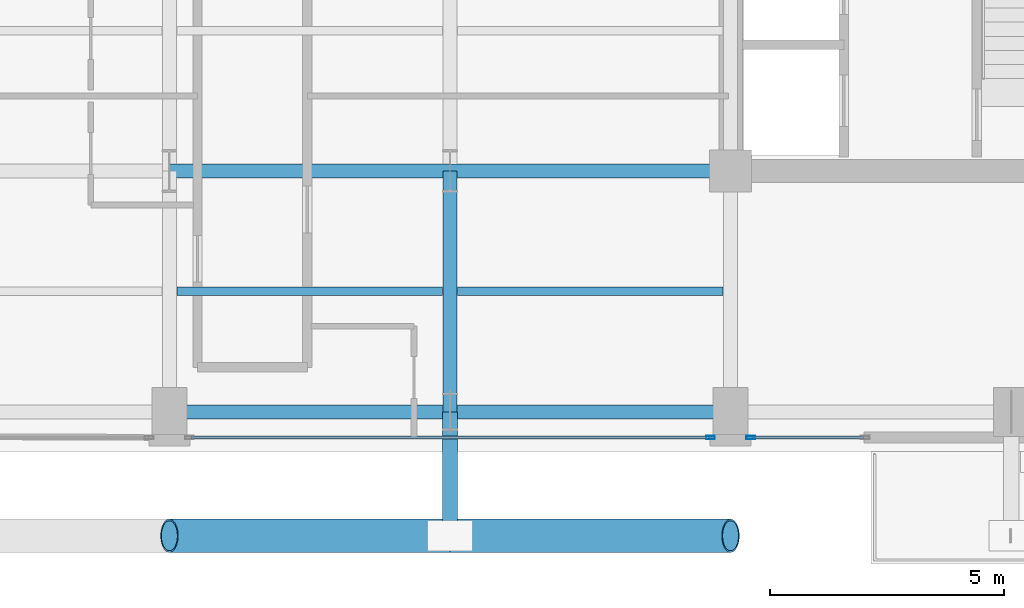
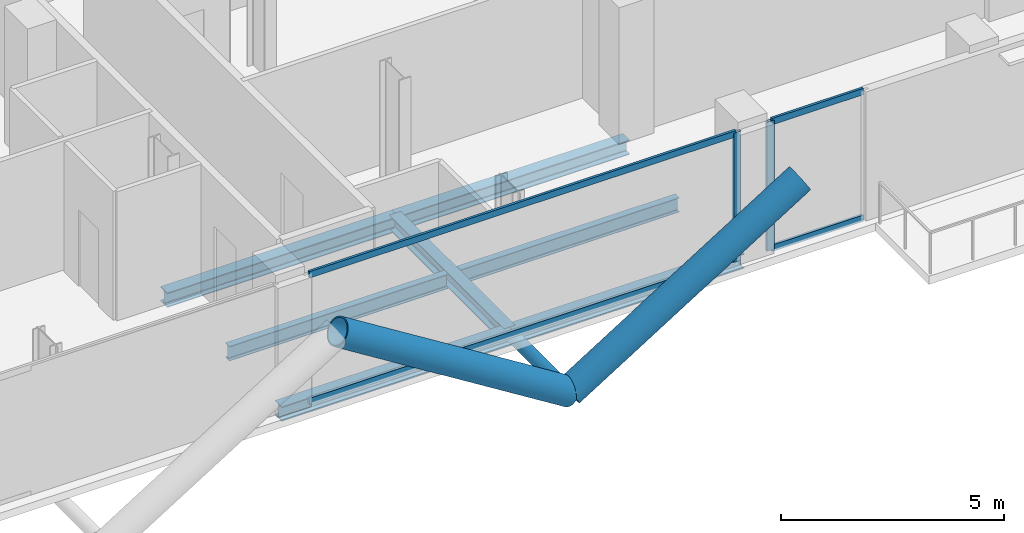
# One storey, part 4 of 25: 9 members, 7 beams, 2 elements without a shape of their own.
"""IFC4 building model written with IfcOpenShell, lengths in metres."""

from ifc_helpers import new_model, si_unit, direction, frame, origin, origin_2d, place, context, subcontext, project, spatial, hollow_rectangle, hollow_circle, i_section, extrude, material, layer, layer_set, material_profile, profile_set, type_object, element, aggregate, save


model = new_model("IFC4")

# Units and contexts
model_context = context("Model", 3, precision=1e-05, world=origin(), true_north=direction((0.0, 1.0)))
body_context = subcontext(model_context, "Body", "Model", "MODEL_VIEW")
ifc_project = project(units=[si_unit("LENGTHUNIT", "METRE"), si_unit("AREAUNIT", "SQUARE_METRE"), si_unit("VOLUMEUNIT", "CUBIC_METRE"), si_unit("PLANEANGLEUNIT", "RADIAN"), si_unit("MASSUNIT", "GRAM", prefix="KILO"), si_unit("THERMODYNAMICTEMPERATUREUNIT", "KELVIN"), si_unit("POWERUNIT", "WATT")], contexts=[model_context])

# Site, building, storey
site_placement = place(None, origin())
site = spatial("IfcSite", under=ifc_project, at=site_placement, CompositionType="ELEMENT")
building_placement = place(site_placement, origin())
building = spatial("IfcBuilding", under=site, at=building_placement, Name="Svarakhadi Broadcast Tower", CompositionType="ELEMENT")
storey_placement = place(building_placement, frame((0.0, 0.0, 212.39990234375)))
storey = spatial("IfcBuildingStorey", under=building, at=storey_placement, Name="L52", CompositionType="ELEMENT", Elevation=212.39990234375)

# Beams
ifc_material_1 = material(Name="Steel S355J2 (IS 2062 E350C)", Category="steel")
ifc_material_profile_1 = material_profile(ifc_material_1, i_section(OverallWidth=0.179931640625, OverallDepth=0.39990234375, WebThickness=0.008544921875, FlangeThickness=0.013427734375, FilletRadius=0.02099609375, at=origin_2d()), Name="NPB 400x180x66")
ifc_profile_set_1 = profile_set([ifc_material_profile_1], Name="Steel S355J2 (IS 2062 E350C)")
beam_type_1 = type_object("IfcBeamType", Name="Beam_NPB400", PredefinedType="BEAM", material=ifc_profile_set_1)
for number, where, z_axis, x_axis, name in (
    (1, (12.159912109375, 3.425048828125, -0.409912109375), (1.0, 0.0, 0.0), (0.0, 1.0, 0.0), "L52 Secondary Composite Beam SB009"),
    (2, (18.159912109375, 3.425048828125, -0.409912109375), (1.0, 0.0, 0.0), (0.0, 1.0, 0.0), "L52 Secondary Composite Beam SB013"),
):
    element("IfcBeam", number, at=place(storey_placement, frame(where, z_axis=z_axis, x_axis=x_axis)), inside=storey, type_object=beam_type_1, Name=name, PredefinedType="BEAM", context=body_context, shape_type="SweptSolid", body=[
        extrude(i_section(OverallWidth=0.179931640625, OverallDepth=0.39990234375, WebThickness=0.008544921875, FlangeThickness=0.013427734375, FilletRadius=0.02099609375, at=origin_2d()), origin(), (0.0, 0.0, 1.0), 5.68017578125),
    ])

# Curtain wall, member
ifc_material_2 = material(Name="Anodised Bronze Aluminium AA 6063-T6", Category="aluminium")
ifc_layer = layer(ifc_material_2, 0.18994140625)
ifc_layer_set = layer_set([ifc_layer], Name="Anodised Bronze Aluminium AA 6063-T6")
curtain_wall_type = type_object("IfcCurtainWallType", Name="CW_Sys_04", PredefinedType="NOTDEFINED", material=ifc_layer_set)
curtain_wall_1_placement = place(storey_placement, origin())
curtain_wall_1 = element("IfcCurtainWall", 3, at=curtain_wall_1_placement, inside=storey, type_object=curtain_wall_type, Name="L52 South Curtain Wall 17 Bay 1", PredefinedType="NOTDEFINED")
ifc_material_profile_2 = material_profile(ifc_material_2, hollow_rectangle(XDim=0.070068359375, YDim=0.18994140625, WallThickness=0.005615234375, at=origin_2d()), Name="ALU MULLION 190x70x6")
ifc_profile_set_2 = profile_set([ifc_material_profile_2], Name="Anodised Bronze Aluminium AA 6063-T6")
member_type_1 = type_object("IfcMemberType", Name="CW_Sys_04_Mul", PredefinedType="MULLION", material=ifc_profile_set_2)
member_1_placement = place(storey_placement, frame((24.429931640625, 0.300048828125, 0.0), z_axis=(0.0, 0.0, 1.0), x_axis=(0.0, -1.0, 0.0)))
member_1 = element("IfcMember", 4, at=member_1_placement, type_object=member_type_1, Name="CW-04 mullion 2", PredefinedType="MULLION", context=body_context, shape_type="SweptSolid", body=[
    extrude(hollow_rectangle(XDim=0.070068359375, YDim=0.18994140625, WallThickness=0.005615234375, at=origin_2d()), origin(), (0.0, 0.0, 1.0), 3.5400390625),
])

curtain_wall_2_placement = place(storey_placement, origin())
curtain_wall_2 = element("IfcCurtainWall", 5, at=curtain_wall_2_placement, inside=storey, type_object=curtain_wall_type, Name="L52 South Curtain Wall 17 Bay 2", PredefinedType="NOTDEFINED")
member_2_placement = place(storey_placement, frame((23.570068359375, 0.300048828125, 0.0), z_axis=(0.0, 0.0, 1.0), x_axis=(0.0, -1.0, 0.0)))
member_2 = element("IfcMember", 6, at=member_2_placement, type_object=member_type_1, Name="CW-04 mullion 1", PredefinedType="MULLION", context=body_context, shape_type="SweptSolid", body=[
    extrude(hollow_rectangle(XDim=0.070068359375, YDim=0.18994140625, WallThickness=0.005615234375, at=origin_2d()), origin(), (0.0, 0.0, 1.0), 3.5400390625),
])

# Member
ifc_material_profile_3 = material_profile(ifc_material_2, hollow_rectangle(XDim=0.06494140625, YDim=0.175048828125, WallThickness=0.0048828125, at=origin_2d()), Name="ALU TRANSOM 175x65x5")
ifc_profile_set_3 = profile_set([ifc_material_profile_3], Name="Anodised Bronze Aluminium AA 6063-T6")
member_type_2 = type_object("IfcMemberType", Name="CW_Sys_04_Trn", PredefinedType="USERDEFINED", material=ifc_profile_set_3)
member_3_placement = place(storey_placement, frame((26.840087890625, 0.300048828125, 0.03271484375), z_axis=(-1.0, 0.0, 0.0), x_axis=(0.0, -1.0, 0.0)))
member_3 = element("IfcMember", 7, at=member_3_placement, type_object=member_type_2, Name="CW-04 transom 1.1", ObjectType="TRANSOM", PredefinedType="USERDEFINED", context=body_context, shape_type="SweptSolid", body=[
    extrude(hollow_rectangle(XDim=0.06494140625, YDim=0.175048828125, WallThickness=0.0048828125, at=origin_2d()), origin(), (0.0, 0.0, 1.0), 2.375),
])

member_4_placement = place(storey_placement, frame((26.840087890625, 0.300048828125, 3.507568359375), z_axis=(-1.0, 0.0, 0.0), x_axis=(0.0, -1.0, 0.0)))
member_4 = element("IfcMember", 8, at=member_4_placement, type_object=member_type_2, Name="CW-04 transom 1.2", ObjectType="TRANSOM", PredefinedType="USERDEFINED", context=body_context, shape_type="SweptSolid", body=[
    extrude(hollow_rectangle(XDim=0.06494140625, YDim=0.175048828125, WallThickness=0.0048828125, at=origin_2d()), origin(), (0.0, 0.0, 1.0), 2.375),
])

aggregate(curtain_wall_1, [member_1, member_3, member_4])

member_5_placement = place(storey_placement, frame((23.534912109375, 0.300048828125, 0.03271484375), z_axis=(-1.0, 0.0, 0.0), x_axis=(0.0, -1.0, 0.0)))
member_5 = element("IfcMember", 9, at=member_5_placement, type_object=member_type_2, Name="CW-04 transom 1.1", ObjectType="TRANSOM", PredefinedType="USERDEFINED", context=body_context, shape_type="SweptSolid", body=[
    extrude(hollow_rectangle(XDim=0.06494140625, YDim=0.175048828125, WallThickness=0.0048828125, at=origin_2d()), origin(), (0.0, 0.0, 1.0), 11.06982421875),
])

member_6_placement = place(storey_placement, frame((23.534912109375, 0.300048828125, 3.507568359375), z_axis=(-1.0, 0.0, 0.0), x_axis=(0.0, -1.0, 0.0)))
member_6 = element("IfcMember", 10, at=member_6_placement, type_object=member_type_2, Name="CW-04 transom 1.2", ObjectType="TRANSOM", PredefinedType="USERDEFINED", context=body_context, shape_type="SweptSolid", body=[
    extrude(hollow_rectangle(XDim=0.06494140625, YDim=0.175048828125, WallThickness=0.0048828125, at=origin_2d()), origin(), (0.0, 0.0, 1.0), 11.06982421875),
])

aggregate(curtain_wall_2, [member_2, member_5, member_6])

# Members
ifc_material_3 = material(Name="Steel S460ML (IS 2062 E450BR)", Category="steel")
ifc_material_profile_4 = material_profile(ifc_material_3, hollow_circle(Radius=0.35546875, WallThickness=0.034912109375, at=origin_2d()), Name="CHS 711x35")
ifc_profile_set_4 = profile_set([ifc_material_profile_4], Name="Steel S460ML (IS 2062 E450BR)")
member_type_3 = type_object("IfcMemberType", Name="Exo_Brace_CHS711", PredefinedType="BRACE", material=ifc_profile_set_4)
for number, where, z_axis, x_axis, name in (
    (11, (18.0, -1.800048828125, -0.371826171875), (-0.847998304005, 0.0, 0.529998940003), (0.0, -1.0, 0.0), "L52 Exposed Bronze Exoskeleton Diagonal S02"),
    (12, (18.0, -1.800048828125, -0.371826171875), (0.847998304005, 0.0, 0.529998940003), (0.0, 1.0, 0.0), "L52 Exposed Bronze Exoskeleton Diagonal S03"),
):
    element("IfcMember", number, at=place(storey_placement, frame(where, z_axis=z_axis, x_axis=x_axis)), inside=storey, type_object=member_type_3, Name=name, PredefinedType="BRACE", context=body_context, shape_type="SweptSolid", body=[
        extrude(hollow_circle(Radius=0.35546875, WallThickness=0.034912109375, at=origin_2d()), origin(), (0.0, 0.0, 1.0), 7.075439453125),
    ])
ifc_material_profile_5 = material_profile(ifc_material_3, hollow_circle(Radius=0.161865234375, WallThickness=0.01611328125, at=origin_2d()), Name="CHS 323.9x16")
ifc_profile_set_5 = profile_set([ifc_material_profile_5], Name="Steel S460ML (IS 2062 E450BR)")
member_type_4 = type_object("IfcMemberType", Name="Exo_Radial_Strut_Z2", PredefinedType="STRUT", material=ifc_profile_set_5)
member_7_placement = place(storey_placement, frame((18.0, -1.800048828125, -0.371826171875), z_axis=(0.0, 1.0, 0.0), x_axis=(-1.0, 0.0, 0.0)))
element("IfcMember", 13, at=member_7_placement, inside=storey, type_object=member_type_4, Name="L52 Exoskeleton Radial Tie Strut S02", PredefinedType="STRUT", context=body_context, shape_type="SweptSolid", body=[
    extrude(hollow_circle(Radius=0.161865234375, WallThickness=0.01611328125, at=origin_2d()), origin(), (0.0, 0.0, 1.0), 2.650146484375),
])

# Beams
ifc_material_profile_6 = material_profile(ifc_material_1, i_section(OverallWidth=0.300048828125, OverallDepth=0.39990234375, WebThickness=0.013427734375, FlangeThickness=0.02392578125, FilletRadius=0.027099609375, at=origin_2d()), Name="WPB 400x300x155")
ifc_profile_set_6 = profile_set([ifc_material_profile_6], Name="Steel S355J2 (IS 2062 E350C)")
beam_type_2 = type_object("IfcBeamType", Name="Girder_WPB400", PredefinedType="USERDEFINED", material=ifc_profile_set_6)
for number, where, z_axis, x_axis, name in (
    (14, (12.0, 0.85009765625, -0.409912109375), (1.0, 0.0, 0.0), (0.0, 1.0, 0.0), "L52 Primary E-W Girder G005"),
    (15, (18.0, 0.85009765625, -0.409912109375), (1.0, 0.0, 0.0), (0.0, 1.0, 0.0), "L52 Primary E-W Girder G006"),
    (16, (12.0, 6.0, -0.409912109375), (1.0, 0.0, 0.0), (0.0, 1.0, 0.0), "L52 Primary E-W Girder G011"),
    (17, (18.0, 6.0, -0.409912109375), (1.0, 0.0, 0.0), (0.0, 1.0, 0.0), "L52 Primary E-W Girder G012"),
):
    element("IfcBeam", number, at=place(storey_placement, frame(where, z_axis=z_axis, x_axis=x_axis)), inside=storey, type_object=beam_type_2, Name=name, ObjectType="GIRDER", PredefinedType="USERDEFINED", context=body_context, shape_type="SweptSolid", body=[
        extrude(i_section(OverallWidth=0.300048828125, OverallDepth=0.39990234375, WebThickness=0.013427734375, FlangeThickness=0.02392578125, FilletRadius=0.027099609375, at=origin_2d()), origin(), (0.0, 0.0, 1.0), 6.0),
    ])
beam_placement = place(storey_placement, frame((18.0, 0.85009765625, -0.409912109375), z_axis=(0.0, 1.0, 0.0), x_axis=(-1.0, 0.0, 0.0)))
element("IfcBeam", 18, at=beam_placement, inside=storey, type_object=beam_type_2, Name="L52 Primary N-S Girder G046", ObjectType="GIRDER", PredefinedType="USERDEFINED", context=body_context, shape_type="SweptSolid", body=[
    extrude(i_section(OverallWidth=0.300048828125, OverallDepth=0.39990234375, WebThickness=0.013427734375, FlangeThickness=0.02392578125, FilletRadius=0.027099609375, at=origin_2d()), origin(), (0.0, 0.0, 1.0), 5.14990234375),
])

save(model, "model.ifc")
